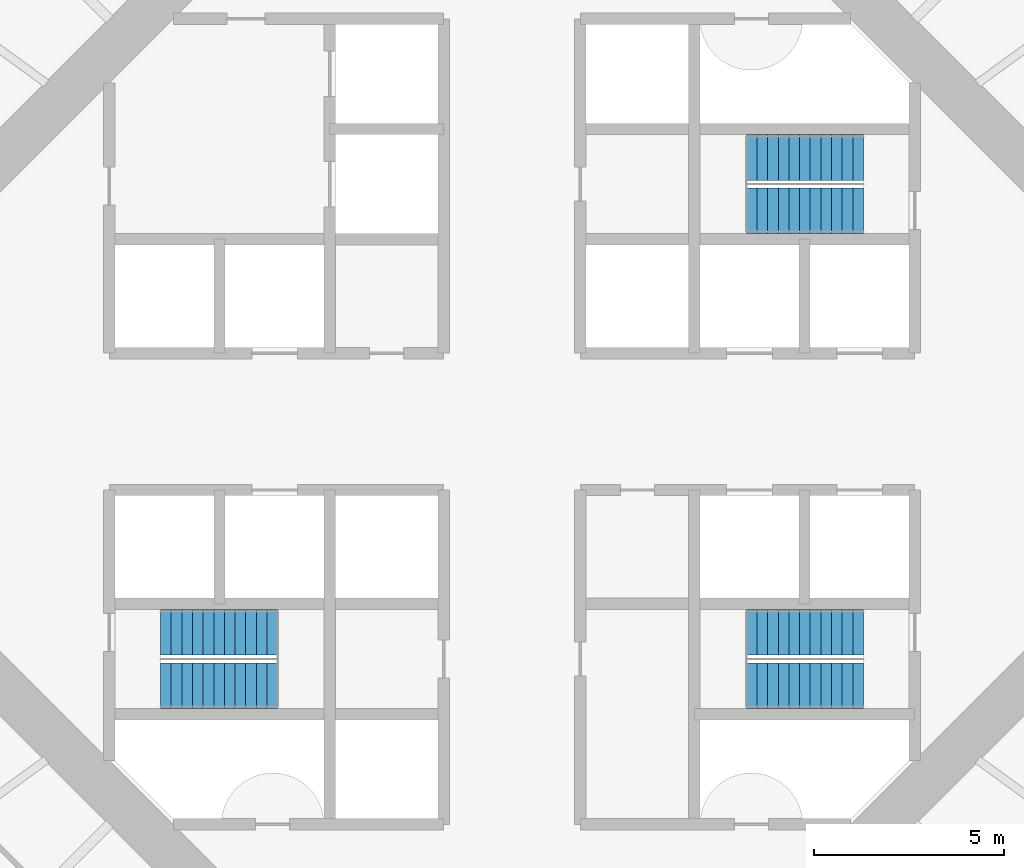
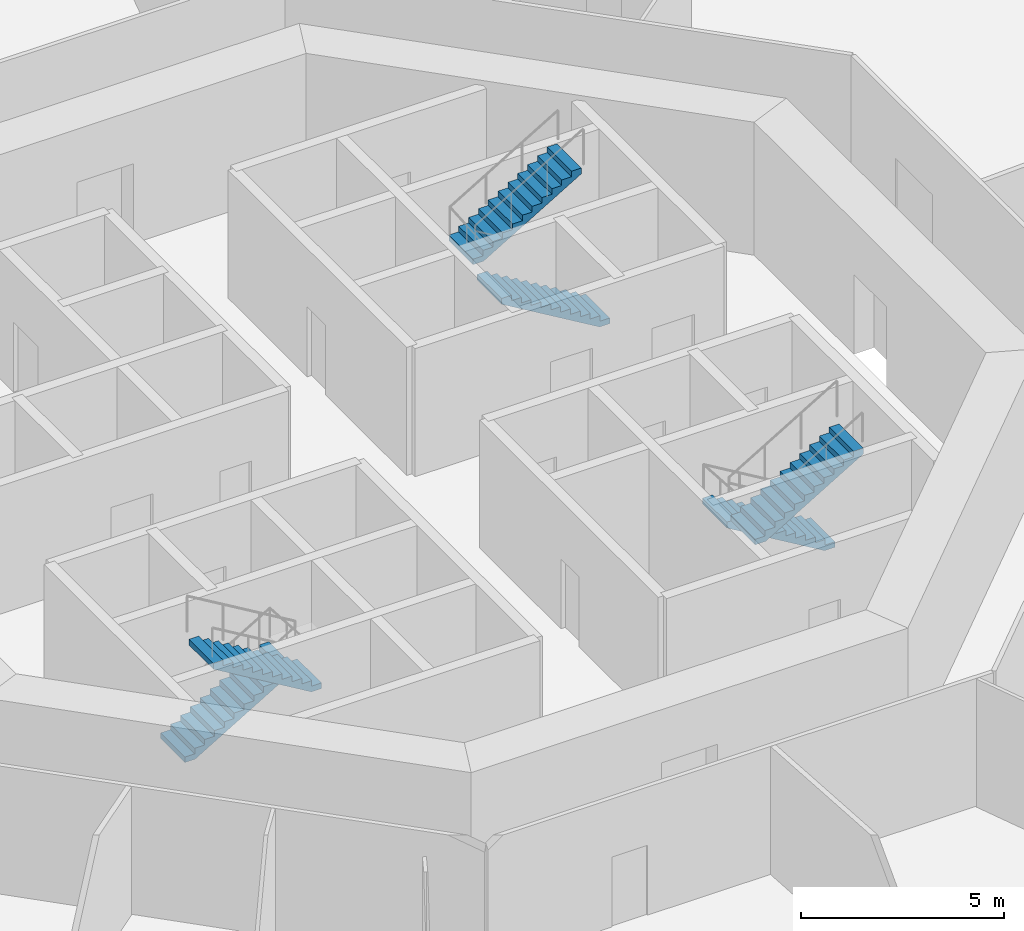
# One storey, part 6 of 13: 6 stair flights, 3 elements without a shape of their own.
"""IFC4 building model written with IfcOpenShell, lengths in metres."""

from ifc_helpers import new_model, si_unit, direction, frame, origin, place, context, subcontext, project, spatial, polyline, outline, extrude, material, type_object, element, aggregate, save


model = new_model("IFC4")

# Units and contexts
model_context = context("Model", 3, precision=1e-05, world=origin(), true_north=direction((0.0, 1.0)))
body_context = subcontext(model_context, "Body", "Model", "MODEL_VIEW")
ifc_project = project(units=[si_unit("LENGTHUNIT", "METRE"), si_unit("AREAUNIT", "SQUARE_METRE"), si_unit("VOLUMEUNIT", "CUBIC_METRE"), si_unit("PLANEANGLEUNIT", "RADIAN"), si_unit("MASSUNIT", "GRAM", prefix="KILO")], contexts=[model_context])

# Site, building, storey
site_placement = place(None, origin())
site = spatial("IfcSite", under=ifc_project, at=site_placement, CompositionType="ELEMENT")
building_placement = place(site_placement, origin())
building = spatial("IfcBuilding", under=site, at=building_placement, Name="Entoto Ring Tower", CompositionType="ELEMENT")
storey_placement = place(building_placement, frame((0.0, 0.0, 96.0)))
storey = spatial("IfcBuildingStorey", under=building, at=storey_placement, Name="L21", CompositionType="ELEMENT", Elevation=96.0)

# Stair, stair flights
ifc_material_1 = material(Name="Concrete C40/50", Category="concrete")
stair_type = type_object("IfcStairType", Name="Exit stair 1200 mm dog-leg reinforced concrete", PredefinedType="HALF_TURN_STAIR", material=ifc_material_1)
stair_1_placement = place(storey_placement, origin())
stair_1 = element("IfcStair", 1, at=stair_1_placement, inside=storey, type_object=stair_type, Name="Exit stair 1", PredefinedType="HALF_TURN_STAIR")
ifc_material_2 = material(Name="Concrete C40/50", Category="concrete")
stair_flight_type = type_object("IfcStairFlightType", Name="Stair flight 1200 mm reinforced concrete", PredefinedType="STRAIGHT", material=ifc_material_2)
stair_flight_1_placement = place(storey_placement, frame((99.25, 85.550048828125, 0.0), z_axis=(0.0, 0.0, 1.0), x_axis=(-1.0, 0.0, 0.0)))
stair_flight_1 = element("IfcStairFlight", 2, at=stair_flight_1_placement, type_object=stair_flight_type, Name="ST1 flight 1", NumberOfRisers=12, NumberOfTreads=11, PredefinedType="STRAIGHT", RiserHeight=0.166666667, TreadLength=0.28, context=body_context, shape_type="SweptSolid", body=[
    extrude(outline(polyline([(0.0, 0.0), (0.0, 0.166748046875), (0.280029296875, 0.166748046875), (0.280029296875, 0.333251953125), (0.56005859375, 0.333251953125), (0.56005859375, 0.5), (0.840087890625, 0.5), (0.840087890625, 0.666748046875), (1.1201171875, 0.666748046875), (1.1201171875, 0.833251953125), (1.39990234375, 0.833251953125), (1.39990234375, 1.0), (1.679931640625, 1.0), (1.679931640625, 1.166748046875), (1.9599609375, 1.166748046875), (1.9599609375, 1.333251953125), (2.239990234375, 1.333251953125), (2.239990234375, 1.5), (2.52001953125, 1.5), (2.52001953125, 1.666748046875), (2.800048828125, 1.666748046875), (2.800048828125, 1.833251953125), (3.080078125, 1.833251953125), (3.080078125, 2.0), (3.080078125, 1.658935546875), (0.29296875, 0.0), (0.0, 0.0)])), frame((0.0, 0.60009765625, 0.0), z_axis=(0.0, -1.0, 0.0), x_axis=(1.0, 0.0, 0.0)), (0.0, 0.0, 1.0), 1.199951171875),
])
stair_flight_2_placement = place(storey_placement, frame((96.169921875, 86.949951171875, 2.0), z_axis=(0.0, 0.0, 1.0), x_axis=(1.0, 0.0, 0.0)))
stair_flight_2 = element("IfcStairFlight", 3, at=stair_flight_2_placement, type_object=stair_flight_type, Name="ST1 flight 2", NumberOfRisers=12, NumberOfTreads=11, PredefinedType="STRAIGHT", RiserHeight=0.166666667, TreadLength=0.28, context=body_context, shape_type="SweptSolid", body=[
    extrude(outline(polyline([(0.0, 0.0), (0.0, 0.166748046875), (0.280029296875, 0.166748046875), (0.280029296875, 0.333251953125), (0.56005859375, 0.333251953125), (0.56005859375, 0.5), (0.840087890625, 0.5), (0.840087890625, 0.666748046875), (1.1201171875, 0.666748046875), (1.1201171875, 0.833251953125), (1.39990234375, 0.833251953125), (1.39990234375, 1.0), (1.679931640625, 1.0), (1.679931640625, 1.166748046875), (1.9599609375, 1.166748046875), (1.9599609375, 1.333251953125), (2.239990234375, 1.333251953125), (2.239990234375, 1.5), (2.52001953125, 1.5), (2.52001953125, 1.666748046875), (2.800048828125, 1.666748046875), (2.800048828125, 1.833251953125), (3.080078125, 1.833251953125), (3.080078125, 2.0), (3.080078125, 1.658935546875), (0.29296875, 0.0), (0.0, 0.0)])), frame((0.0, 0.60009765625, 0.0), z_axis=(0.0, -1.0, 0.0), x_axis=(1.0, 0.0, 0.0)), (0.0, 0.0, 1.0), 1.199951171875),
])
aggregate(stair_1, [stair_flight_1, stair_flight_2])

stair_2_placement = place(storey_placement, origin())
stair_2 = element("IfcStair", 4, at=stair_2_placement, inside=storey, type_object=stair_type, Name="Exit stair 2", PredefinedType="HALF_TURN_STAIR")
stair_flight_3_placement = place(storey_placement, frame((80.75, 74.449951171875, 0.0), z_axis=(0.0, 0.0, 1.0), x_axis=(1.0, 0.0, 0.0)))
stair_flight_3 = element("IfcStairFlight", 5, at=stair_flight_3_placement, type_object=stair_flight_type, Name="ST2 flight 1", NumberOfRisers=12, NumberOfTreads=11, PredefinedType="STRAIGHT", RiserHeight=0.166666667, TreadLength=0.28, context=body_context, shape_type="SweptSolid", body=[
    extrude(outline(polyline([(0.0, 0.0), (0.0, 0.166748046875), (0.280029296875, 0.166748046875), (0.280029296875, 0.333251953125), (0.56005859375, 0.333251953125), (0.56005859375, 0.5), (0.840087890625, 0.5), (0.840087890625, 0.666748046875), (1.1201171875, 0.666748046875), (1.1201171875, 0.833251953125), (1.39990234375, 0.833251953125), (1.39990234375, 1.0), (1.679931640625, 1.0), (1.679931640625, 1.166748046875), (1.9599609375, 1.166748046875), (1.9599609375, 1.333251953125), (2.239990234375, 1.333251953125), (2.239990234375, 1.5), (2.52001953125, 1.5), (2.52001953125, 1.666748046875), (2.800048828125, 1.666748046875), (2.800048828125, 1.833251953125), (3.080078125, 1.833251953125), (3.080078125, 2.0), (3.080078125, 1.658935546875), (0.29296875, 0.0), (0.0, 0.0)])), frame((0.0, 0.60009765625, 0.0), z_axis=(0.0, -1.0, 0.0), x_axis=(1.0, 0.0, 0.0)), (0.0, 0.0, 1.0), 1.199951171875),
])
stair_flight_4_placement = place(storey_placement, frame((83.830078125, 73.050048828125, 2.0), z_axis=(0.0, 0.0, 1.0), x_axis=(-1.0, 0.0, 0.0)))
stair_flight_4 = element("IfcStairFlight", 6, at=stair_flight_4_placement, type_object=stair_flight_type, Name="ST2 flight 2", NumberOfRisers=12, NumberOfTreads=11, PredefinedType="STRAIGHT", RiserHeight=0.166666667, TreadLength=0.28, context=body_context, shape_type="SweptSolid", body=[
    extrude(outline(polyline([(0.0, 0.0), (0.0, 0.166748046875), (0.280029296875, 0.166748046875), (0.280029296875, 0.333251953125), (0.56005859375, 0.333251953125), (0.56005859375, 0.5), (0.840087890625, 0.5), (0.840087890625, 0.666748046875), (1.1201171875, 0.666748046875), (1.1201171875, 0.833251953125), (1.39990234375, 0.833251953125), (1.39990234375, 1.0), (1.679931640625, 1.0), (1.679931640625, 1.166748046875), (1.9599609375, 1.166748046875), (1.9599609375, 1.333251953125), (2.239990234375, 1.333251953125), (2.239990234375, 1.5), (2.52001953125, 1.5), (2.52001953125, 1.666748046875), (2.800048828125, 1.666748046875), (2.800048828125, 1.833251953125), (3.080078125, 1.833251953125), (3.080078125, 2.0), (3.080078125, 1.658935546875), (0.29296875, 0.0), (0.0, 0.0)])), frame((0.0, 0.60009765625, 0.0), z_axis=(0.0, -1.0, 0.0), x_axis=(1.0, 0.0, 0.0)), (0.0, 0.0, 1.0), 1.199951171875),
])
aggregate(stair_2, [stair_flight_3, stair_flight_4])

stair_3_placement = place(storey_placement, origin())
stair_3 = element("IfcStair", 7, at=stair_3_placement, inside=storey, type_object=stair_type, Name="Exit stair 3", PredefinedType="HALF_TURN_STAIR")
stair_flight_5_placement = place(storey_placement, frame((99.25, 74.449951171875, 0.0), z_axis=(0.0, 0.0, 1.0), x_axis=(-1.0, 0.0, 0.0)))
stair_flight_5 = element("IfcStairFlight", 8, at=stair_flight_5_placement, type_object=stair_flight_type, Name="ST3 flight 1", NumberOfRisers=12, NumberOfTreads=11, PredefinedType="STRAIGHT", RiserHeight=0.166666667, TreadLength=0.28, context=body_context, shape_type="SweptSolid", body=[
    extrude(outline(polyline([(0.0, 0.0), (0.0, 0.166748046875), (0.280029296875, 0.166748046875), (0.280029296875, 0.333251953125), (0.56005859375, 0.333251953125), (0.56005859375, 0.5), (0.840087890625, 0.5), (0.840087890625, 0.666748046875), (1.1201171875, 0.666748046875), (1.1201171875, 0.833251953125), (1.39990234375, 0.833251953125), (1.39990234375, 1.0), (1.679931640625, 1.0), (1.679931640625, 1.166748046875), (1.9599609375, 1.166748046875), (1.9599609375, 1.333251953125), (2.239990234375, 1.333251953125), (2.239990234375, 1.5), (2.52001953125, 1.5), (2.52001953125, 1.666748046875), (2.800048828125, 1.666748046875), (2.800048828125, 1.833251953125), (3.080078125, 1.833251953125), (3.080078125, 2.0), (3.080078125, 1.658935546875), (0.29296875, 0.0), (0.0, 0.0)])), frame((0.0, 0.60009765625, 0.0), z_axis=(0.0, -1.0, 0.0), x_axis=(1.0, 0.0, 0.0)), (0.0, 0.0, 1.0), 1.199951171875),
])
stair_flight_6_placement = place(storey_placement, frame((96.169921875, 73.050048828125, 2.0), z_axis=(0.0, 0.0, 1.0), x_axis=(1.0, 0.0, 0.0)))
stair_flight_6 = element("IfcStairFlight", 9, at=stair_flight_6_placement, type_object=stair_flight_type, Name="ST3 flight 2", NumberOfRisers=12, NumberOfTreads=11, PredefinedType="STRAIGHT", RiserHeight=0.166666667, TreadLength=0.28, context=body_context, shape_type="SweptSolid", body=[
    extrude(outline(polyline([(0.0, 0.0), (0.0, 0.166748046875), (0.280029296875, 0.166748046875), (0.280029296875, 0.333251953125), (0.56005859375, 0.333251953125), (0.56005859375, 0.5), (0.840087890625, 0.5), (0.840087890625, 0.666748046875), (1.1201171875, 0.666748046875), (1.1201171875, 0.833251953125), (1.39990234375, 0.833251953125), (1.39990234375, 1.0), (1.679931640625, 1.0), (1.679931640625, 1.166748046875), (1.9599609375, 1.166748046875), (1.9599609375, 1.333251953125), (2.239990234375, 1.333251953125), (2.239990234375, 1.5), (2.52001953125, 1.5), (2.52001953125, 1.666748046875), (2.800048828125, 1.666748046875), (2.800048828125, 1.833251953125), (3.080078125, 1.833251953125), (3.080078125, 2.0), (3.080078125, 1.658935546875), (0.29296875, 0.0), (0.0, 0.0)])), frame((0.0, 0.60009765625, 0.0), z_axis=(0.0, -1.0, 0.0), x_axis=(1.0, 0.0, 0.0)), (0.0, 0.0, 1.0), 1.199951171875),
])
aggregate(stair_3, [stair_flight_5, stair_flight_6])

save(model, "model.ifc")
